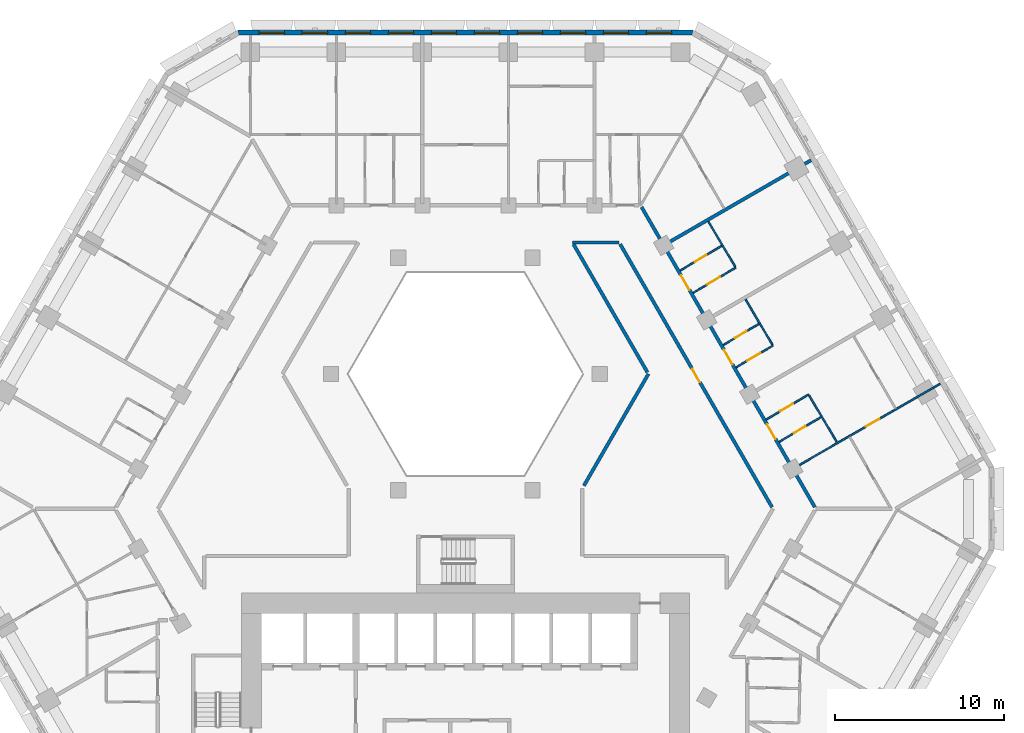
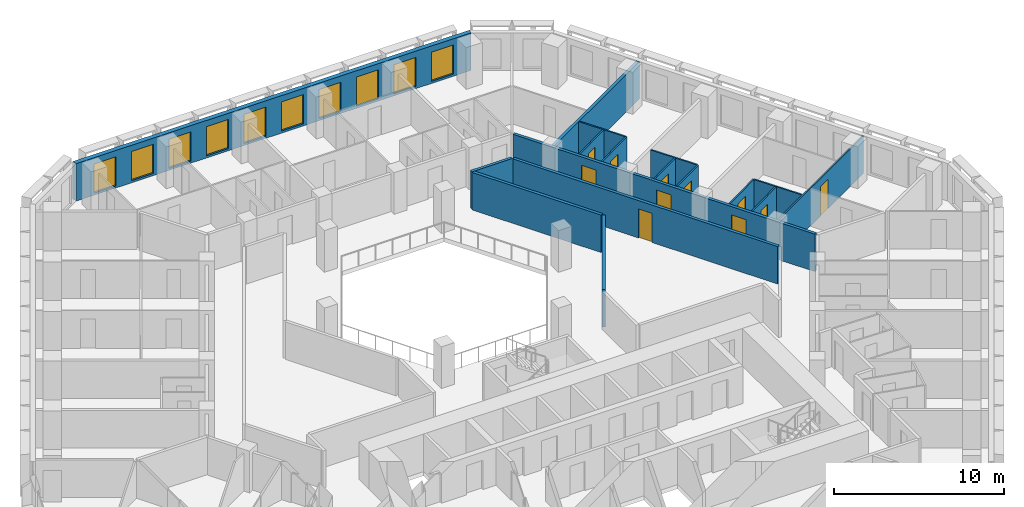
# One storey, part 10 of 21: 17 walls, 11 doors, 10 windows, 21 openings.
"""IFC4 building model written with IfcOpenShell, lengths in metres."""

from ifc_helpers import new_model, si_unit, direction, frame, frame_2d, origin, place, context, subcontext, project, spatial, polyline, rectangle, outline, extrude, material, layer, layer_set, type_object, element, fill, save


model = new_model("IFC4")

# Units and contexts
model_context = context("Model", 3, precision=1e-05, world=origin(), true_north=direction((0.0, 1.0)))
body_context = subcontext(model_context, "Body", "Model", "MODEL_VIEW")
ifc_project = project(units=[si_unit("LENGTHUNIT", "METRE"), si_unit("AREAUNIT", "SQUARE_METRE"), si_unit("VOLUMEUNIT", "CUBIC_METRE"), si_unit("PLANEANGLEUNIT", "RADIAN"), si_unit("MASSUNIT", "GRAM", prefix="KILO")], contexts=[model_context])

# Site, building, storey
site_placement = place(None, origin())
site = spatial("IfcSite", under=ifc_project, at=site_placement, CompositionType="ELEMENT")
building_placement = place(site_placement, origin())
building = spatial("IfcBuilding", under=site, at=building_placement, Name="Beryl Residences", CompositionType="ELEMENT")
storey_placement = place(building_placement, frame((0.0, 0.0, 41.39990234375)))
storey = spatial("IfcBuildingStorey", under=building, at=storey_placement, Name="L12", CompositionType="ELEMENT", Elevation=41.39990234375)

# Wall, openings, windows
ifc_material_1 = material(Name="Composite metal panel with mineral wool insulation")
ifc_layer_1 = layer(ifc_material_1, 0.300048828125)
ifc_layer_set_1 = layer_set([ifc_layer_1], Name="ES1 pale metal composite panel wall 300 mm")
wall_type_1 = type_object("IfcWallType", Name="ES1 pale metal composite panel wall 300 mm", PredefinedType="SOLIDWALL", material=ifc_layer_set_1)
wall_1_placement = place(storey_placement, frame((13.510009765625, 28.25, 0.0), z_axis=(0.0, 0.0, 1.0), x_axis=(-1.0, 0.0, 0.0)))
wall_1 = element("IfcWall", 1, at=wall_1_placement, inside=storey, type_object=wall_type_1, Name="ES1 external wall L12 N", PredefinedType="SOLIDWALL", context=body_context, shape_type="SweptSolid", body=[
    extrude(outline(polyline([(0.0, -0.14990234375), (27.02001953125, -0.14990234375), (26.939697265625, 0.14990234375), (0.080322265625, 0.14990234375), (0.0, -0.14990234375)])), origin(), (0.0, 0.0, 1.0), 2.7001953125),
])
opening_1_placement = place(wall_1_placement, frame((1.277099609375, 0.0, 0.14990234375)))
opening_1 = element("IfcOpeningElement", 2, at=opening_1_placement, cuts=wall_1, Name="Opening W1", PredefinedType="OPENING", context=body_context, shape_type="SweptSolid", body=[
    extrude(rectangle(XDim=1.5, YDim=2.10009765625, at=frame_2d((0.75, 1.050048828125))), frame((0.0, 0.159912109375, 0.0), z_axis=(0.0, -1.0, 0.0), x_axis=(1.0, 0.0, 0.0)), (0.0, 0.0, 1.0), 0.320068359375),
])
opening_2_placement = place(wall_1_placement, frame((3.8291015625, 0.0, 0.14990234375)))
opening_2 = element("IfcOpeningElement", 3, at=opening_2_placement, cuts=wall_1, Name="Opening W1", PredefinedType="OPENING", context=body_context, shape_type="SweptSolid", body=[
    extrude(rectangle(XDim=1.5, YDim=2.10009765625, at=frame_2d((0.75, 1.050048828125))), frame((0.0, 0.159912109375, 0.0), z_axis=(0.0, -1.0, 0.0), x_axis=(1.0, 0.0, 0.0)), (0.0, 0.0, 1.0), 0.320068359375),
])
opening_3_placement = place(wall_1_placement, frame((6.381103515625, 0.0, 0.14990234375)))
opening_3 = element("IfcOpeningElement", 4, at=opening_3_placement, cuts=wall_1, Name="Opening W1", PredefinedType="OPENING", context=body_context, shape_type="SweptSolid", body=[
    extrude(rectangle(XDim=1.5, YDim=2.10009765625, at=frame_2d((0.75, 1.050048828125))), frame((0.0, 0.159912109375, 0.0), z_axis=(0.0, -1.0, 0.0), x_axis=(1.0, 0.0, 0.0)), (0.0, 0.0, 1.0), 0.320068359375),
])
opening_4_placement = place(wall_1_placement, frame((8.93310546875, 0.0, 0.14990234375)))
opening_4 = element("IfcOpeningElement", 5, at=opening_4_placement, cuts=wall_1, Name="Opening W1", PredefinedType="OPENING", context=body_context, shape_type="SweptSolid", body=[
    extrude(rectangle(XDim=1.5, YDim=2.10009765625, at=frame_2d((0.75, 1.050048828125))), frame((0.0, 0.159912109375, 0.0), z_axis=(0.0, -1.0, 0.0), x_axis=(1.0, 0.0, 0.0)), (0.0, 0.0, 1.0), 0.320068359375),
])
opening_5_placement = place(wall_1_placement, frame((11.485107421875, 0.0, 0.14990234375)))
opening_5 = element("IfcOpeningElement", 6, at=opening_5_placement, cuts=wall_1, Name="Opening W1", PredefinedType="OPENING", context=body_context, shape_type="SweptSolid", body=[
    extrude(rectangle(XDim=1.5, YDim=2.10009765625, at=frame_2d((0.75, 1.050048828125))), frame((0.0, 0.159912109375, 0.0), z_axis=(0.0, -1.0, 0.0), x_axis=(1.0, 0.0, 0.0)), (0.0, 0.0, 1.0), 0.320068359375),
])
opening_6_placement = place(wall_1_placement, frame((14.037109375, 0.0, 0.14990234375)))
opening_6 = element("IfcOpeningElement", 7, at=opening_6_placement, cuts=wall_1, Name="Opening W1", PredefinedType="OPENING", context=body_context, shape_type="SweptSolid", body=[
    extrude(rectangle(XDim=1.5, YDim=2.10009765625, at=frame_2d((0.75, 1.050048828125))), frame((0.0, 0.159912109375, 0.0), z_axis=(0.0, -1.0, 0.0), x_axis=(1.0, 0.0, 0.0)), (0.0, 0.0, 1.0), 0.320068359375),
])
opening_7_placement = place(wall_1_placement, frame((16.589111328125, 0.0, 0.14990234375)))
opening_7 = element("IfcOpeningElement", 8, at=opening_7_placement, cuts=wall_1, Name="Opening W1", PredefinedType="OPENING", context=body_context, shape_type="SweptSolid", body=[
    extrude(rectangle(XDim=1.5, YDim=2.10009765625, at=frame_2d((0.75, 1.050048828125))), frame((0.0, 0.159912109375, 0.0), z_axis=(0.0, -1.0, 0.0), x_axis=(1.0, 0.0, 0.0)), (0.0, 0.0, 1.0), 0.320068359375),
])
opening_8_placement = place(wall_1_placement, frame((19.14111328125, 0.0, 0.14990234375)))
opening_8 = element("IfcOpeningElement", 9, at=opening_8_placement, cuts=wall_1, Name="Opening W1", PredefinedType="OPENING", context=body_context, shape_type="SweptSolid", body=[
    extrude(rectangle(XDim=1.5, YDim=2.10009765625, at=frame_2d((0.75, 1.050048828125))), frame((0.0, 0.159912109375, 0.0), z_axis=(0.0, -1.0, 0.0), x_axis=(1.0, 0.0, 0.0)), (0.0, 0.0, 1.0), 0.320068359375),
])
opening_9_placement = place(wall_1_placement, frame((21.693115234375, 0.0, 0.14990234375)))
opening_9 = element("IfcOpeningElement", 10, at=opening_9_placement, cuts=wall_1, Name="Opening W1", PredefinedType="OPENING", context=body_context, shape_type="SweptSolid", body=[
    extrude(rectangle(XDim=1.5, YDim=2.10009765625, at=frame_2d((0.75, 1.050048828125))), frame((0.0, 0.159912109375, 0.0), z_axis=(0.0, -1.0, 0.0), x_axis=(1.0, 0.0, 0.0)), (0.0, 0.0, 1.0), 0.320068359375),
])
opening_10_placement = place(wall_1_placement, frame((24.2451171875, 0.0, 0.14990234375)))
opening_10 = element("IfcOpeningElement", 11, at=opening_10_placement, cuts=wall_1, Name="Opening W1", PredefinedType="OPENING", context=body_context, shape_type="SweptSolid", body=[
    extrude(rectangle(XDim=1.5, YDim=2.10009765625, at=frame_2d((0.75, 1.050048828125))), frame((0.0, 0.159912109375, 0.0), z_axis=(0.0, -1.0, 0.0), x_axis=(1.0, 0.0, 0.0)), (0.0, 0.0, 1.0), 0.320068359375),
])
ifc_material_2 = material(Name="Aluminium and clear glass", Category="aluminium")
window_type = type_object("IfcWindowType", Name="W1 cell window 1500 x 2100 mm", PartitioningType="SINGLE_PANEL", PredefinedType="WINDOW", material=ifc_material_2)
window_1_placement = place(opening_1_placement, origin())
window_1 = element("IfcWindow", 12, at=window_1_placement, inside=storey, type_object=window_type, Name="W1 window L12 N 1", OverallHeight=2.10009765625, OverallWidth=1.5, PartitioningType="SINGLE_PANEL", PredefinedType="WINDOW", context=body_context, shape_type="SweptSolid", body=[
    extrude(rectangle(XDim=1.5, YDim=2.10009765625, at=frame_2d((0.75, 1.050048828125))), frame((0.0, 0.030029296875, 0.0), z_axis=(0.0, -1.0, 0.0), x_axis=(1.0, 0.0, 0.0)), (0.0, 0.0, 1.0), 0.06005859375),
])
fill(opening_1, window_1)
window_2_placement = place(opening_2_placement, origin())
window_2 = element("IfcWindow", 13, at=window_2_placement, inside=storey, type_object=window_type, Name="W1 window L12 N 2", OverallHeight=2.10009765625, OverallWidth=1.5, PartitioningType="SINGLE_PANEL", PredefinedType="WINDOW", context=body_context, shape_type="SweptSolid", body=[
    extrude(rectangle(XDim=1.5, YDim=2.10009765625, at=frame_2d((0.75, 1.050048828125))), frame((0.0, 0.030029296875, 0.0), z_axis=(0.0, -1.0, 0.0), x_axis=(1.0, 0.0, 0.0)), (0.0, 0.0, 1.0), 0.06005859375),
])
fill(opening_2, window_2)
window_3_placement = place(opening_3_placement, origin())
window_3 = element("IfcWindow", 14, at=window_3_placement, inside=storey, type_object=window_type, Name="W1 window L12 N 3", OverallHeight=2.10009765625, OverallWidth=1.5, PartitioningType="SINGLE_PANEL", PredefinedType="WINDOW", context=body_context, shape_type="SweptSolid", body=[
    extrude(rectangle(XDim=1.5, YDim=2.10009765625, at=frame_2d((0.75, 1.050048828125))), frame((0.0, 0.030029296875, 0.0), z_axis=(0.0, -1.0, 0.0), x_axis=(1.0, 0.0, 0.0)), (0.0, 0.0, 1.0), 0.06005859375),
])
fill(opening_3, window_3)
window_4_placement = place(opening_4_placement, origin())
window_4 = element("IfcWindow", 15, at=window_4_placement, inside=storey, type_object=window_type, Name="W1 window L12 N 4", OverallHeight=2.10009765625, OverallWidth=1.5, PartitioningType="SINGLE_PANEL", PredefinedType="WINDOW", context=body_context, shape_type="SweptSolid", body=[
    extrude(rectangle(XDim=1.5, YDim=2.10009765625, at=frame_2d((0.75, 1.050048828125))), frame((0.0, 0.030029296875, 0.0), z_axis=(0.0, -1.0, 0.0), x_axis=(1.0, 0.0, 0.0)), (0.0, 0.0, 1.0), 0.06005859375),
])
fill(opening_4, window_4)
window_5_placement = place(opening_5_placement, origin())
window_5 = element("IfcWindow", 16, at=window_5_placement, inside=storey, type_object=window_type, Name="W1 window L12 N 5", OverallHeight=2.10009765625, OverallWidth=1.5, PartitioningType="SINGLE_PANEL", PredefinedType="WINDOW", context=body_context, shape_type="SweptSolid", body=[
    extrude(rectangle(XDim=1.5, YDim=2.10009765625, at=frame_2d((0.75, 1.050048828125))), frame((0.0, 0.030029296875, 0.0), z_axis=(0.0, -1.0, 0.0), x_axis=(1.0, 0.0, 0.0)), (0.0, 0.0, 1.0), 0.06005859375),
])
fill(opening_5, window_5)
window_6_placement = place(opening_6_placement, origin())
window_6 = element("IfcWindow", 17, at=window_6_placement, inside=storey, type_object=window_type, Name="W1 window L12 N 6", OverallHeight=2.10009765625, OverallWidth=1.5, PartitioningType="SINGLE_PANEL", PredefinedType="WINDOW", context=body_context, shape_type="SweptSolid", body=[
    extrude(rectangle(XDim=1.5, YDim=2.10009765625, at=frame_2d((0.75, 1.050048828125))), frame((0.0, 0.030029296875, 0.0), z_axis=(0.0, -1.0, 0.0), x_axis=(1.0, 0.0, 0.0)), (0.0, 0.0, 1.0), 0.06005859375),
])
fill(opening_6, window_6)
window_7_placement = place(opening_7_placement, origin())
window_7 = element("IfcWindow", 18, at=window_7_placement, inside=storey, type_object=window_type, Name="W1 window L12 N 7", OverallHeight=2.10009765625, OverallWidth=1.5, PartitioningType="SINGLE_PANEL", PredefinedType="WINDOW", context=body_context, shape_type="SweptSolid", body=[
    extrude(rectangle(XDim=1.5, YDim=2.10009765625, at=frame_2d((0.75, 1.050048828125))), frame((0.0, 0.030029296875, 0.0), z_axis=(0.0, -1.0, 0.0), x_axis=(1.0, 0.0, 0.0)), (0.0, 0.0, 1.0), 0.06005859375),
])
fill(opening_7, window_7)
window_8_placement = place(opening_8_placement, origin())
window_8 = element("IfcWindow", 19, at=window_8_placement, inside=storey, type_object=window_type, Name="W1 window L12 N 8", OverallHeight=2.10009765625, OverallWidth=1.5, PartitioningType="SINGLE_PANEL", PredefinedType="WINDOW", context=body_context, shape_type="SweptSolid", body=[
    extrude(rectangle(XDim=1.5, YDim=2.10009765625, at=frame_2d((0.75, 1.050048828125))), frame((0.0, 0.030029296875, 0.0), z_axis=(0.0, -1.0, 0.0), x_axis=(1.0, 0.0, 0.0)), (0.0, 0.0, 1.0), 0.06005859375),
])
fill(opening_8, window_8)
window_9_placement = place(opening_9_placement, origin())
window_9 = element("IfcWindow", 20, at=window_9_placement, inside=storey, type_object=window_type, Name="W1 window L12 N 9", OverallHeight=2.10009765625, OverallWidth=1.5, PartitioningType="SINGLE_PANEL", PredefinedType="WINDOW", context=body_context, shape_type="SweptSolid", body=[
    extrude(rectangle(XDim=1.5, YDim=2.10009765625, at=frame_2d((0.75, 1.050048828125))), frame((0.0, 0.030029296875, 0.0), z_axis=(0.0, -1.0, 0.0), x_axis=(1.0, 0.0, 0.0)), (0.0, 0.0, 1.0), 0.06005859375),
])
fill(opening_9, window_9)
window_10_placement = place(opening_10_placement, origin())
window_10 = element("IfcWindow", 21, at=window_10_placement, inside=storey, type_object=window_type, Name="W1 window L12 N 10", OverallHeight=2.10009765625, OverallWidth=1.5, PartitioningType="SINGLE_PANEL", PredefinedType="WINDOW", context=body_context, shape_type="SweptSolid", body=[
    extrude(rectangle(XDim=1.5, YDim=2.10009765625, at=frame_2d((0.75, 1.050048828125))), frame((0.0, 0.030029296875, 0.0), z_axis=(0.0, -1.0, 0.0), x_axis=(1.0, 0.0, 0.0)), (0.0, 0.0, 1.0), 0.06005859375),
])
fill(opening_10, window_10)

# Walls
ifc_material_3 = material(Name="Gypsum board partition on steel studs", Category="steel")
ifc_layer_2 = layer(ifc_material_3, 0.10009765625)
ifc_layer_set_2 = layer_set([ifc_layer_2], Name="PT1 partition 100 mm gypsum board on steel studs")
wall_type_2 = type_object("IfcWallType", Name="PT1 partition 100 mm gypsum board on steel studs", PredefinedType="PARTITIONING", material=ifc_layer_set_2)
wall_2_placement = place(storey_placement, frame((16.614990234375, 12.425048828125, 0.0), z_axis=(0.0, 0.0, 1.0), x_axis=(0.510241930604, -0.860030913546, 0.0)))
element("IfcWall", 22, at=wall_2_placement, inside=storey, type_object=wall_type_2, Name="Wall PT1 L12 001", PredefinedType="PARTITIONING", context=body_context, shape_type="SweptSolid", body=[
    extrude(rectangle(XDim=3.135986328125, YDim=0.10009765625, at=frame_2d((1.56787109375, 0.0))), origin(), (0.0, 0.0, 1.0), 2.7001953125),
])
wall_3_placement = place(storey_placement, frame((20.381103515625, 6.740966796875, 0.0), z_axis=(0.0, 0.0, 1.0), x_axis=(0.510224755389, -0.860041103081, 0.0)))
element("IfcWall", 23, at=wall_3_placement, inside=storey, type_object=wall_type_2, Name="Wall PT1 L12 002", PredefinedType="PARTITIONING", context=body_context, shape_type="SweptSolid", body=[
    extrude(rectangle(XDim=3.216064453125, YDim=0.10009765625, at=frame_2d((1.60791015625, 0.0))), origin(), (0.0, 0.0, 1.0), 2.7001953125),
])
wall_4_placement = place(storey_placement, frame((14.408935546875, 17.044921875, 0.0), z_axis=(0.0, 0.0, 1.0), x_axis=(0.510362209222, -0.859959542884, 0.0)))
element("IfcWall", 24, at=wall_4_placement, inside=storey, type_object=wall_type_2, Name="Wall PT1 L12 003", PredefinedType="PARTITIONING", context=body_context, shape_type="SweptSolid", body=[
    extrude(rectangle(XDim=3.13134765625, YDim=0.10009765625, at=frame_2d((1.565673828125, 0.0))), origin(), (0.0, 0.0, 1.0), 2.7001953125),
])

# Wall, opening, door
wall_5_placement = place(storey_placement, frame((19.5029296875, 2.4208984375, 0.0), z_axis=(0.0, 0.0, 1.0), x_axis=(0.866065245018, 0.499930986609, 0.0)))
wall_5 = element("IfcWall", 25, at=wall_5_placement, inside=storey, type_object=wall_type_2, Name="Wall PT1 L12 065", PredefinedType="PARTITIONING", context=body_context, shape_type="SweptSolid", body=[
    extrude(rectangle(XDim=9.99951171875, YDim=0.10009765625, at=frame_2d((4.999755859375, 0.0))), origin(), (0.0, 0.0, 1.0), 2.7001953125),
])
opening_11_placement = place(wall_5_placement, frame((4.931884765625, 0.0, 0.0)))
opening_11 = element("IfcOpeningElement", 26, at=opening_11_placement, cuts=wall_5, Name="Opening D0255", PredefinedType="OPENING", context=body_context, shape_type="SweptSolid", body=[
    extrude(rectangle(XDim=0.89990234375, YDim=2.10009765625, at=frame_2d((0.449951171875, 1.050048828125))), frame((0.0, 0.06005859375, 0.0), z_axis=(0.0, -1.0, 0.0), x_axis=(1.0, 0.0, 0.0)), (0.0, 0.0, 1.0), 0.1201171875),
])
ifc_material_4 = material(Name="Timber door leaf", Category="wood")
door_type_1 = type_object("IfcDoorType", Name="D2 room door 900 x 2100 mm", OperationType="SINGLE_SWING_LEFT", PredefinedType="DOOR", material=ifc_material_4)
door_1_placement = place(opening_11_placement, origin())
door_1 = element("IfcDoor", 27, at=door_1_placement, inside=storey, type_object=door_type_1, Name="Door D0255 L12 001", OperationType="SINGLE_SWING_LEFT", OverallHeight=2.10009765625, OverallWidth=0.89990234375, PredefinedType="DOOR", context=body_context, shape_type="SweptSolid", body=[
    extrude(rectangle(XDim=0.89990234375, YDim=2.10009765625, at=frame_2d((0.449951171875, 1.050048828125))), frame((0.0, 0.02490234375, 0.0), z_axis=(0.0, -1.0, 0.0), x_axis=(1.0, 0.0, 0.0)), (0.0, 0.0, 1.0), 0.050048828125),
])
fill(opening_11, door_1)

wall_6_placement = place(storey_placement, frame((17.843017578125, 5.294921875, 0.0), z_axis=(0.0, 0.0, 1.0), x_axis=(0.860078277555, 0.510162088436, 0.0)))
wall_6 = element("IfcWall", 28, at=wall_6_placement, inside=storey, type_object=wall_type_2, Name="Wall PT1 L12 069", PredefinedType="PARTITIONING", context=body_context, shape_type="SweptSolid", body=[
    extrude(rectangle(XDim=2.920654296875, YDim=0.10009765625, at=frame_2d((1.46044921875, 0.0))), origin(), (0.0, 0.0, 1.0), 2.7001953125),
])
opening_12_placement = place(wall_6_placement, frame((0.9599609375, 0.0, 0.0)))
opening_12 = element("IfcOpeningElement", 29, at=opening_12_placement, cuts=wall_6, Name="Opening D0252", PredefinedType="OPENING", context=body_context, shape_type="SweptSolid", body=[
    extrude(rectangle(XDim=0.89990234375, YDim=2.10009765625, at=frame_2d((0.449951171875, 1.050048828125))), frame((0.0, 0.06005859375, 0.0), z_axis=(0.0, -1.0, 0.0), x_axis=(1.0, 0.0, 0.0)), (0.0, 0.0, 1.0), 0.1201171875),
])
door_2_placement = place(opening_12_placement, origin())
door_2 = element("IfcDoor", 30, at=door_2_placement, inside=storey, type_object=door_type_1, Name="Door D0252 L12 001", OperationType="SINGLE_SWING_RIGHT", OverallHeight=2.10009765625, OverallWidth=0.89990234375, PredefinedType="DOOR", context=body_context, shape_type="SweptSolid", body=[
    extrude(rectangle(XDim=0.89990234375, YDim=2.10009765625, at=frame_2d((0.449951171875, 1.050048828125))), frame((0.0, 0.02490234375, 0.0), z_axis=(0.0, -1.0, 0.0), x_axis=(1.0, 0.0, 0.0)), (0.0, 0.0, 1.0), 0.050048828125),
])
fill(opening_12, door_2)

wall_7_placement = place(storey_placement, frame((18.60888671875, 3.968994140625, 0.0), z_axis=(0.0, 0.0, 1.0), x_axis=(0.860254465905, 0.50986493691, 0.0)))
wall_7 = element("IfcWall", 31, at=wall_7_placement, inside=storey, type_object=wall_type_2, Name="Wall PT1 L12 070", PredefinedType="PARTITIONING", context=body_context, shape_type="SweptSolid", body=[
    extrude(rectangle(XDim=2.888916015625, YDim=0.10009765625, at=frame_2d((1.4443359375, 0.0))), origin(), (0.0, 0.0, 1.0), 2.7001953125),
])
opening_13_placement = place(wall_7_placement, frame((1.01904296875, 0.0, 0.0)))
opening_13 = element("IfcOpeningElement", 32, at=opening_13_placement, cuts=wall_7, Name="Opening D0253", PredefinedType="OPENING", context=body_context, shape_type="SweptSolid", body=[
    extrude(rectangle(XDim=0.800048828125, YDim=2.10009765625, at=frame_2d((0.39990234375, 1.050048828125))), frame((0.0, 0.06005859375, 0.0), z_axis=(0.0, -1.0, 0.0), x_axis=(1.0, 0.0, 0.0)), (0.0, 0.0, 1.0), 0.1201171875),
])
ifc_material_5 = material(Name="Timber door leaf", Category="wood")
door_type_2 = type_object("IfcDoorType", Name="D3 bathroom door 800 x 2100 mm", OperationType="SINGLE_SWING_LEFT", PredefinedType="DOOR", material=ifc_material_5)
door_3_placement = place(opening_13_placement, origin())
door_3 = element("IfcDoor", 33, at=door_3_placement, inside=storey, type_object=door_type_2, Name="Door D0253 L12 001", OperationType="SINGLE_SWING_LEFT", OverallHeight=2.10009765625, OverallWidth=0.800048828125, PredefinedType="DOOR", context=body_context, shape_type="SweptSolid", body=[
    extrude(rectangle(XDim=0.800048828125, YDim=2.10009765625, at=frame_2d((0.39990234375, 1.050048828125))), frame((0.0, 0.02490234375, 0.0), z_axis=(0.0, -1.0, 0.0), x_axis=(1.0, 0.0, 0.0)), (0.0, 0.0, 1.0), 0.050048828125),
])
fill(opening_13, door_3)

wall_8_placement = place(storey_placement, frame((16.056884765625, 8.388916015625, 0.0), z_axis=(0.0, 0.0, 1.0), x_axis=(0.860036770423, 0.510232058499, 0.0)))
wall_8 = element("IfcWall", 34, at=wall_8_placement, inside=storey, type_object=wall_type_2, Name="Wall PT1 L12 071", PredefinedType="PARTITIONING", context=body_context, shape_type="SweptSolid", body=[
    extrude(rectangle(XDim=2.538330078125, YDim=0.10009765625, at=frame_2d((1.26904296875, 0.0))), origin(), (0.0, 0.0, 1.0), 2.7001953125),
])
opening_14_placement = place(wall_8_placement, frame((0.76904296875, 0.0, 0.0)))
opening_14 = element("IfcOpeningElement", 35, at=opening_14_placement, cuts=wall_8, Name="Opening D0258", PredefinedType="OPENING", context=body_context, shape_type="SweptSolid", body=[
    extrude(rectangle(XDim=0.89990234375, YDim=2.10009765625, at=frame_2d((0.449951171875, 1.050048828125))), frame((0.0, 0.06005859375, 0.0), z_axis=(0.0, -1.0, 0.0), x_axis=(1.0, 0.0, 0.0)), (0.0, 0.0, 1.0), 0.1201171875),
])
door_4_placement = place(opening_14_placement, origin())
door_4 = element("IfcDoor", 36, at=door_4_placement, inside=storey, type_object=door_type_1, Name="Door D0258 L12 001", OperationType="SINGLE_SWING_RIGHT", OverallHeight=2.10009765625, OverallWidth=0.89990234375, PredefinedType="DOOR", context=body_context, shape_type="SweptSolid", body=[
    extrude(rectangle(XDim=0.89990234375, YDim=2.10009765625, at=frame_2d((0.449951171875, 1.050048828125))), frame((0.0, 0.02490234375, 0.0), z_axis=(0.0, -1.0, 0.0), x_axis=(1.0, 0.0, 0.0)), (0.0, 0.0, 1.0), 0.050048828125),
])
fill(opening_14, door_4)

wall_9_placement = place(storey_placement, frame((13.5048828125, 12.80908203125, 0.0), z_axis=(0.0, 0.0, 1.0), x_axis=(0.860070102739, 0.510175870043, 0.0)))
wall_9 = element("IfcWall", 37, at=wall_9_placement, inside=storey, type_object=wall_type_2, Name="Wall PT1 L12 072", PredefinedType="PARTITIONING", context=body_context, shape_type="SweptSolid", body=[
    extrude(rectangle(XDim=2.938232421875, YDim=0.10009765625, at=frame_2d((1.46923828125, 0.0))), origin(), (0.0, 0.0, 1.0), 2.7001953125),
])
opening_15_placement = place(wall_9_placement, frame((0.968994140625, 0.0, 0.0)))
opening_15 = element("IfcOpeningElement", 38, at=opening_15_placement, cuts=wall_9, Name="Opening D0261", PredefinedType="OPENING", context=body_context, shape_type="SweptSolid", body=[
    extrude(rectangle(XDim=0.89990234375, YDim=2.10009765625, at=frame_2d((0.449951171875, 1.050048828125))), frame((0.0, 0.06005859375, 0.0), z_axis=(0.0, -1.0, 0.0), x_axis=(1.0, 0.0, 0.0)), (0.0, 0.0, 1.0), 0.1201171875),
])
door_5_placement = place(opening_15_placement, origin())
door_5 = element("IfcDoor", 39, at=door_5_placement, inside=storey, type_object=door_type_1, Name="Door D0261 L12 001", OperationType="SINGLE_SWING_LEFT", OverallHeight=2.10009765625, OverallWidth=0.89990234375, PredefinedType="DOOR", context=body_context, shape_type="SweptSolid", body=[
    extrude(rectangle(XDim=0.89990234375, YDim=2.10009765625, at=frame_2d((0.449951171875, 1.050048828125))), frame((0.0, 0.02490234375, 0.0), z_axis=(0.0, -1.0, 0.0), x_axis=(1.0, 0.0, 0.0)), (0.0, 0.0, 1.0), 0.050048828125),
])
fill(opening_15, door_5)

wall_10_placement = place(storey_placement, frame((12.739013671875, 14.135009765625, 0.0), z_axis=(0.0, 0.0, 1.0), x_axis=(0.860077414703, 0.510163543109, 0.0)))
wall_10 = element("IfcWall", 40, at=wall_10_placement, inside=storey, type_object=wall_type_2, Name="Wall PT1 L12 073", PredefinedType="PARTITIONING", context=body_context, shape_type="SweptSolid", body=[
    extrude(rectangle(XDim=2.871826171875, YDim=0.10009765625, at=frame_2d((1.43603515625, 0.0))), origin(), (0.0, 0.0, 1.0), 2.7001953125),
])
opening_16_placement = place(wall_10_placement, frame((1.010009765625, 0.0, 0.0)))
opening_16 = element("IfcOpeningElement", 41, at=opening_16_placement, cuts=wall_10, Name="Opening D0262", PredefinedType="OPENING", context=body_context, shape_type="SweptSolid", body=[
    extrude(rectangle(XDim=0.800048828125, YDim=2.10009765625, at=frame_2d((0.39990234375, 1.050048828125))), frame((0.0, 0.06005859375, 0.0), z_axis=(0.0, -1.0, 0.0), x_axis=(1.0, 0.0, 0.0)), (0.0, 0.0, 1.0), 0.1201171875),
])
door_6_placement = place(opening_16_placement, origin())
door_6 = element("IfcDoor", 42, at=door_6_placement, inside=storey, type_object=door_type_2, Name="Door D0262 L12 001", OperationType="SINGLE_SWING_RIGHT", OverallHeight=2.10009765625, OverallWidth=0.800048828125, PredefinedType="DOOR", context=body_context, shape_type="SweptSolid", body=[
    extrude(rectangle(XDim=0.800048828125, YDim=2.10009765625, at=frame_2d((0.39990234375, 1.050048828125))), frame((0.0, 0.02490234375, 0.0), z_axis=(0.0, -1.0, 0.0), x_axis=(1.0, 0.0, 0.0)), (0.0, 0.0, 1.0), 0.050048828125),
])
fill(opening_16, door_6)

wall_11_placement = place(storey_placement, frame((15.291015625, 9.715087890625, 0.0), z_axis=(0.0, 0.0, 1.0), x_axis=(0.860087708271, 0.510146188932, 0.0)))
wall_11 = element("IfcWall", 43, at=wall_11_placement, inside=storey, type_object=wall_type_2, Name="Wall PT1 L12 074", PredefinedType="PARTITIONING", context=body_context, shape_type="SweptSolid", body=[
    extrude(rectangle(XDim=2.471923828125, YDim=0.10009765625, at=frame_2d((1.23583984375, 0.0))), origin(), (0.0, 0.0, 1.0), 2.7001953125),
])
opening_17_placement = place(wall_11_placement, frame((0.81005859375, 0.0, 0.0)))
opening_17 = element("IfcOpeningElement", 44, at=opening_17_placement, cuts=wall_11, Name="Opening D0259", PredefinedType="OPENING", context=body_context, shape_type="SweptSolid", body=[
    extrude(rectangle(XDim=0.800048828125, YDim=2.10009765625, at=frame_2d((0.39990234375, 1.050048828125))), frame((0.0, 0.06005859375, 0.0), z_axis=(0.0, -1.0, 0.0), x_axis=(1.0, 0.0, 0.0)), (0.0, 0.0, 1.0), 0.1201171875),
])
door_7_placement = place(opening_17_placement, origin())
door_7 = element("IfcDoor", 45, at=door_7_placement, inside=storey, type_object=door_type_2, Name="Door D0259 L12 001", OperationType="SINGLE_SWING_LEFT", OverallHeight=2.10009765625, OverallWidth=0.800048828125, PredefinedType="DOOR", context=body_context, shape_type="SweptSolid", body=[
    extrude(rectangle(XDim=0.800048828125, YDim=2.10009765625, at=frame_2d((0.39990234375, 1.050048828125))), frame((0.0, 0.02490234375, 0.0), z_axis=(0.0, -1.0, 0.0), x_axis=(1.0, 0.0, 0.0)), (0.0, 0.0, 1.0), 0.050048828125),
])
fill(opening_17, door_7)

# Walls
ifc_material_6 = material(Name="Acoustic double stud gypsum board wall")
ifc_layer_3 = layer(ifc_material_6, 0.199951171875)
ifc_layer_set_3 = layer_set([ifc_layer_3], Name="PT3 party wall 200 mm acoustic double stud")
wall_type_3 = type_object("IfcWallType", Name="PT3 party wall 200 mm acoustic double stud", PredefinedType="PARTITIONING", material=ifc_layer_set_3)
wall_12_placement = place(storey_placement, frame((11.846923828125, 15.680908203125, 0.0), z_axis=(0.0, 0.0, 1.0), x_axis=(0.866022959057, 0.500004234368, 0.0)))
element("IfcWall", 46, at=wall_12_placement, inside=storey, type_object=wall_type_3, Name="Wall PT3 L12 027", PredefinedType="PARTITIONING", context=body_context, shape_type="SweptSolid", body=[
    extrude(rectangle(XDim=10.0, YDim=0.199951171875, at=frame_2d((5.0, 0.0))), origin(), (0.0, 0.0, 1.0), 2.7001953125),
])
ifc_material_7 = material(Name="Double stud gypsum board wall")
ifc_layer_4 = layer(ifc_material_7, 0.199951171875)
ifc_layer_set_4 = layer_set([ifc_layer_4], Name="PT4 corridor wall 200 mm double stud")
wall_type_4 = type_object("IfcWallType", Name="PT4 corridor wall 200 mm double stud", PredefinedType="PARTITIONING", material=ifc_layer_set_4)
wall_13_placement = place(storey_placement, frame((6.408935546875, 15.699951171875, 0.0), z_axis=(0.0, 0.0, 1.0), x_axis=(0.499930377127, -0.866065596838, 0.0)))
element("IfcWall", 47, at=wall_13_placement, inside=storey, type_object=wall_type_4, Name="Wall PT4 L12 004", PredefinedType="PARTITIONING", context=body_context, shape_type="SweptSolid", body=[
    extrude(rectangle(XDim=8.775146484375, YDim=0.199951171875, at=frame_2d((4.3876953125, 0.0))), origin(), (0.0, 0.0, 1.0), 2.7001953125),
])

# Wall, opening, door
wall_14_placement = place(storey_placement, frame((9.179931640625, 15.699951171875, 0.0), z_axis=(0.0, 0.0, 1.0), x_axis=(0.500003652032, -0.866023295272, 0.0)))
wall_14 = element("IfcWall", 48, at=wall_14_placement, inside=storey, type_object=wall_type_4, Name="Wall PT4 L12 005", PredefinedType="PARTITIONING", context=body_context, shape_type="SweptSolid", body=[
    extrude(rectangle(XDim=18.011962890625, YDim=0.199951171875, at=frame_2d((9.005859375, 0.0))), origin(), (0.0, 0.0, 1.0), 2.7001953125),
])
opening_18_placement = place(wall_14_placement, frame((8.555908203125, 0.0, 0.0)))
opening_18 = element("IfcOpeningElement", 49, at=opening_18_placement, cuts=wall_14, Name="Opening D0283", PredefinedType="OPENING", context=body_context, shape_type="SweptSolid", body=[
    extrude(rectangle(XDim=0.89990234375, YDim=2.10009765625, at=frame_2d((0.449951171875, 1.050048828125))), frame((0.0, 0.10986328125, 0.0), z_axis=(0.0, -1.0, 0.0), x_axis=(1.0, 0.0, 0.0)), (0.0, 0.0, 1.0), 0.219970703125),
])
door_8_placement = place(opening_18_placement, origin())
door_8 = element("IfcDoor", 50, at=door_8_placement, inside=storey, type_object=door_type_1, Name="Door D0283 L12 001", OperationType="SINGLE_SWING_LEFT", OverallHeight=2.10009765625, OverallWidth=0.89990234375, PredefinedType="DOOR", context=body_context, shape_type="SweptSolid", body=[
    extrude(rectangle(XDim=0.89990234375, YDim=2.10009765625, at=frame_2d((0.449951171875, 1.050048828125))), frame((0.0, 0.02490234375, 0.0), z_axis=(0.0, -1.0, 0.0), x_axis=(1.0, 0.0, 0.0)), (0.0, 0.0, 1.0), 0.050048828125),
])
fill(opening_18, door_8)

# Wall, openings, doors
wall_15_placement = place(storey_placement, frame((10.449951171875, 17.89990234375, 0.0), z_axis=(0.0, 0.0, 1.0), x_axis=(0.500034352617, -0.866005569383, 0.0)))
wall_15 = element("IfcWall", 51, at=wall_15_placement, inside=storey, type_object=wall_type_4, Name="Wall PT4 L12 006", PredefinedType="PARTITIONING", context=body_context, shape_type="SweptSolid", body=[
    extrude(rectangle(XDim=20.552734375, YDim=0.199951171875, at=frame_2d((10.2763671875, 0.0))), origin(), (0.0, 0.0, 1.0), 2.7001953125),
])
opening_19_placement = place(wall_15_placement, frame((14.87890625, 0.0, 0.0)))
opening_19 = element("IfcOpeningElement", 52, at=opening_19_placement, cuts=wall_15, Name="Opening D0251", PredefinedType="OPENING", context=body_context, shape_type="SweptSolid", body=[
    extrude(rectangle(XDim=1.0, YDim=2.10009765625, at=frame_2d((0.5, 1.050048828125))), frame((0.0, 0.10986328125, 0.0), z_axis=(0.0, -1.0, 0.0), x_axis=(1.0, 0.0, 0.0)), (0.0, 0.0, 1.0), 0.219970703125),
])
opening_20_placement = place(wall_15_placement, frame((9.77490234375, 0.0, 0.0)))
opening_20 = element("IfcOpeningElement", 53, at=opening_20_placement, cuts=wall_15, Name="Opening D0257", PredefinedType="OPENING", context=body_context, shape_type="SweptSolid", body=[
    extrude(rectangle(XDim=1.0, YDim=2.10009765625, at=frame_2d((0.5, 1.050048828125))), frame((0.0, 0.10986328125, 0.0), z_axis=(0.0, -1.0, 0.0), x_axis=(1.0, 0.0, 0.0)), (0.0, 0.0, 1.0), 0.219970703125),
])
opening_21_placement = place(wall_15_placement, frame((4.6708984375, 0.0, 0.0)))
opening_21 = element("IfcOpeningElement", 54, at=opening_21_placement, cuts=wall_15, Name="Opening D0260", PredefinedType="OPENING", context=body_context, shape_type="SweptSolid", body=[
    extrude(rectangle(XDim=1.0, YDim=2.10009765625, at=frame_2d((0.5, 1.050048828125))), frame((0.0, 0.10986328125, 0.0), z_axis=(0.0, -1.0, 0.0), x_axis=(1.0, 0.0, 0.0)), (0.0, 0.0, 1.0), 0.219970703125),
])
ifc_material_8 = material(Name="Timber door leaf", Category="wood")
door_type_3 = type_object("IfcDoorType", Name="D1 flat entrance door 1000 x 2100 mm", OperationType="SINGLE_SWING_LEFT", PredefinedType="DOOR", material=ifc_material_8)
door_9_placement = place(opening_19_placement, origin())
door_9 = element("IfcDoor", 55, at=door_9_placement, inside=storey, type_object=door_type_3, Name="Door D0251 L12 001", OperationType="SINGLE_SWING_LEFT", OverallHeight=2.10009765625, OverallWidth=1.0, PredefinedType="DOOR", context=body_context, shape_type="SweptSolid", body=[
    extrude(rectangle(XDim=1.0, YDim=2.10009765625, at=frame_2d((0.5, 1.050048828125))), frame((0.0, 0.02490234375, 0.0), z_axis=(0.0, -1.0, 0.0), x_axis=(1.0, 0.0, 0.0)), (0.0, 0.0, 1.0), 0.050048828125),
])
fill(opening_19, door_9)
door_10_placement = place(opening_20_placement, origin())
door_10 = element("IfcDoor", 56, at=door_10_placement, inside=storey, type_object=door_type_3, Name="Door D0257 L12 001", OperationType="SINGLE_SWING_LEFT", OverallHeight=2.10009765625, OverallWidth=1.0, PredefinedType="DOOR", context=body_context, shape_type="SweptSolid", body=[
    extrude(rectangle(XDim=1.0, YDim=2.10009765625, at=frame_2d((0.5, 1.050048828125))), frame((0.0, 0.02490234375, 0.0), z_axis=(0.0, -1.0, 0.0), x_axis=(1.0, 0.0, 0.0)), (0.0, 0.0, 1.0), 0.050048828125),
])
fill(opening_20, door_10)
door_11_placement = place(opening_21_placement, origin())
door_11 = element("IfcDoor", 57, at=door_11_placement, inside=storey, type_object=door_type_3, Name="Door D0260 L12 001", OperationType="SINGLE_SWING_RIGHT", OverallHeight=2.10009765625, OverallWidth=1.0, PredefinedType="DOOR", context=body_context, shape_type="SweptSolid", body=[
    extrude(rectangle(XDim=1.0, YDim=2.10009765625, at=frame_2d((0.5, 1.050048828125))), frame((0.0, 0.02490234375, 0.0), z_axis=(0.0, -1.0, 0.0), x_axis=(1.0, 0.0, 0.0)), (0.0, 0.0, 1.0), 0.050048828125),
])
fill(opening_21, door_11)

# Walls
wall_16_placement = place(storey_placement, frame((6.35107421875, 15.800048828125, 0.0), z_axis=(0.0, 0.0, 1.0), x_axis=(1.0, 0.0, 0.0)))
element("IfcWall", 58, at=wall_16_placement, inside=storey, type_object=wall_type_4, Name="Wall PT4 L12 018", PredefinedType="PARTITIONING", context=body_context, shape_type="SweptSolid", body=[
    extrude(rectangle(XDim=2.77099609375, YDim=0.199951171875, at=frame_2d((1.385498046875, 0.0))), origin(), (0.0, 0.0, 1.0), 2.7001953125),
])
wall_17_placement = place(storey_placement, frame((7.028076171875, 1.373046875, 0.0), z_axis=(0.0, 0.0, 1.0), x_axis=(0.49998574534, 0.86603363356, 0.0)))
element("IfcWall", 59, at=wall_17_placement, inside=storey, type_object=wall_type_4, Name="Wall PT4 L12 020", PredefinedType="PARTITIONING", context=body_context, shape_type="SweptSolid", body=[
    extrude(rectangle(XDim=7.652099609375, YDim=0.199951171875, at=frame_2d((3.826171875, 0.0))), origin(), (0.0, 0.0, 1.0), 2.7001953125),
])

save(model, "model.ifc")
